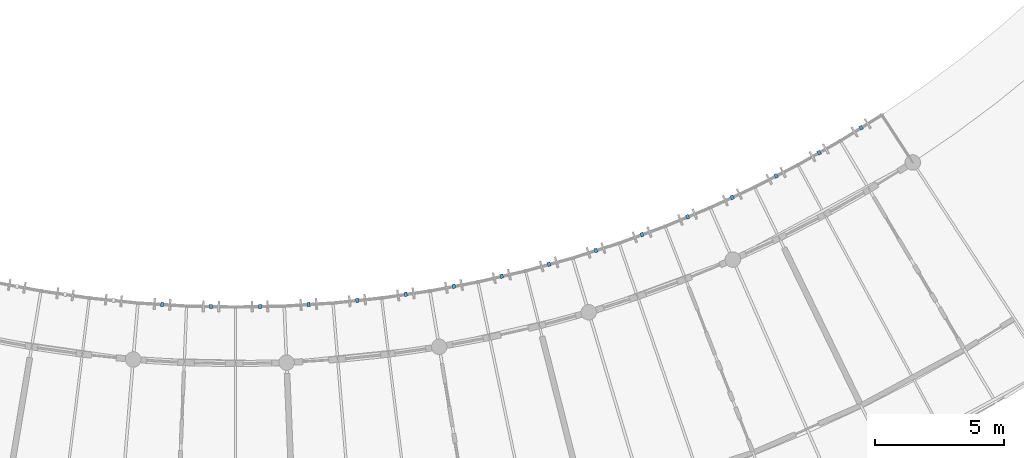
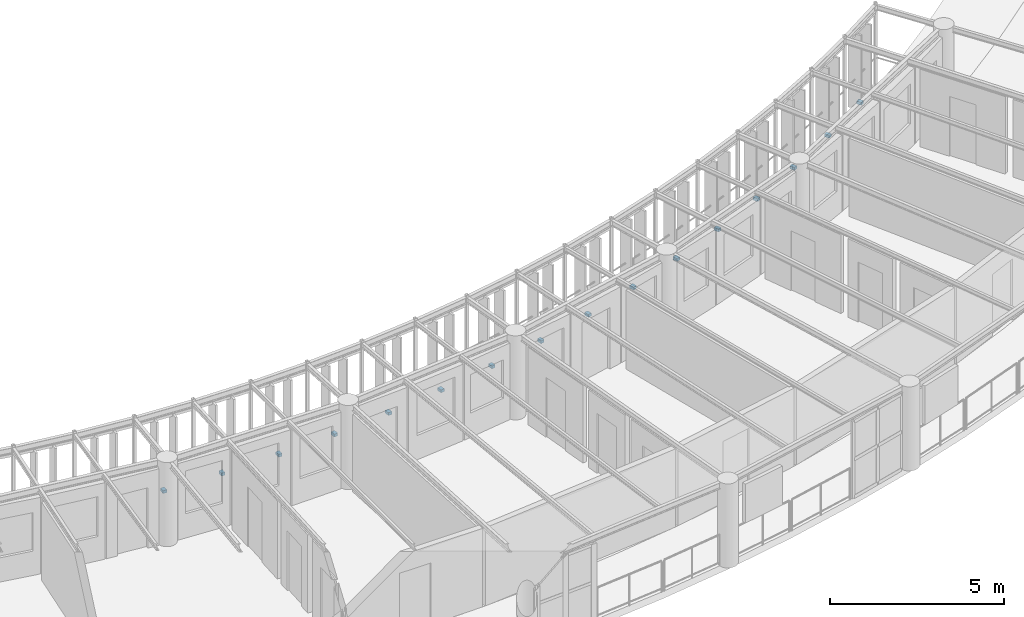
# One storey, part 84 of 100: 16 discrete accessories.
"""IFC4 building model written with IfcOpenShell, lengths in metres."""

import ifcopenshell
import ifcopenshell.guid

model = None  # the IFC model being written
_history = None  # IfcOwnerHistory: only IFC2X3 demands one
_inside = {}  # id of a spatial element -> (the spatial element, [elements in it])
_under = {}  # id of a project, library or spatial element -> (it, [spatial elements below it])
_declared = {}  # id of a project -> (the project, [libraries it declares])
_typed = {}  # id of a type object -> (the type object, [elements of that type])
_made_of = {}  # id of a material, layer set ... -> (it, [elements and type objects made of it])


def new_model(schema):
    """Start an empty IFC model of exactly this schema.

    Asked for "IFC4X3", IfcOpenShell would pick the latest addendum, in which some entities
    have other attributes; the version numbers below select the first issue.
    IFC2X3 requires an IfcOwnerHistory on every rooted entity: one is made here for all.
    """
    global model, _history
    if schema == "IFC4X3":
        model = ifcopenshell.file(schema_version=(4, 3, 0, 0))
    else:
        model = ifcopenshell.file(schema=schema)
    _inside.clear()
    _under.clear()
    _declared.clear()
    _typed.clear()
    _made_of.clear()
    _history = None
    if model.schema == "IFC2X3":
        org = make("IfcOrganization", Name="unknown")
        user = make(
            "IfcPersonAndOrganization",
            ThePerson=make("IfcPerson", FamilyName="unknown"),
            TheOrganization=org,
        )
        app = make(
            "IfcApplication",
            ApplicationDeveloper=org,
            Version="unknown",
            ApplicationFullName="unknown",
            ApplicationIdentifier="unknown",
        )
        _history = make(
            "IfcOwnerHistory",
            OwningUser=user,
            OwningApplication=app,
            ChangeAction="ADDED",
            CreationDate=0,
        )
    return model


def make(cls, **values):
    """One entity of the class cls with the attributes given. An attribute that is None is left unset."""
    return model.create_entity(
        cls, **{name: value for name, value in values.items() if value is not None}
    )


def rooted(cls, **values):
    """An entity with a GlobalId (a new one), such as an element, a storey or a relation."""
    return make(cls, GlobalId=ifcopenshell.guid.new(), OwnerHistory=_history, **values)


def si_unit(unit_type, name, prefix=None):
    """IfcSIUnit, for example si_unit("LENGTHUNIT", "METRE", prefix="MILLI")."""
    return make("IfcSIUnit", UnitType=unit_type, Prefix=prefix, Name=name)


def assignment(units):
    """IfcUnitAssignment: the units of a project."""
    return None if units is None else make("IfcUnitAssignment", Units=units)


def point(xyz):
    """IfcCartesianPoint."""
    return None if xyz is None else make("IfcCartesianPoint", Coordinates=xyz)


def direction(xyz):
    """IfcDirection."""
    return None if xyz is None else make("IfcDirection", DirectionRatios=xyz)


def frame(location, z_axis=None, x_axis=None):
    """IfcAxis2Placement3D, a coordinate frame: its origin and axes. An axis left out is left unset."""
    return make(
        "IfcAxis2Placement3D",
        Location=point(location),
        Axis=direction(z_axis),
        RefDirection=direction(x_axis),
    )


def frame_2d(location, x_axis=None):
    """IfcAxis2Placement2D, a coordinate frame in the plane: its origin and x axis."""
    return make(
        "IfcAxis2Placement2D", Location=point(location), RefDirection=direction(x_axis)
    )


def origin():
    """The frame at (0, 0, 0) with its axes left unset."""
    return frame((0.0, 0.0, 0.0))


def origin_2d():
    """The frame at (0, 0) in the plane with its x axis left unset."""
    return frame_2d((0.0, 0.0))


def place(relative_to, where):
    """IfcLocalPlacement: puts the frame where relative to a parent placement (None: the world)."""
    return make(
        "IfcLocalPlacement", PlacementRelTo=relative_to, RelativePlacement=where
    )


def context(
    kind, dimensions, precision=None, world=None, true_north=None, identifier=None
):
    """IfcGeometricRepresentationContext, for example the 3D "Model" context."""
    return make(
        "IfcGeometricRepresentationContext",
        ContextIdentifier=identifier,
        ContextType=kind,
        CoordinateSpaceDimension=dimensions,
        Precision=precision,
        WorldCoordinateSystem=world,
        TrueNorth=true_north,
    )


def subcontext(parent, identifier, kind, view, scale=None):
    """IfcGeometricRepresentationSubContext, for example "Body" below "Model"."""
    return make(
        "IfcGeometricRepresentationSubContext",
        ContextIdentifier=identifier,
        ContextType=kind,
        ParentContext=parent,
        TargetScale=scale,
        TargetView=view,
    )


def project(units=None, contexts=None):
    """IfcProject with its units and contexts."""
    return rooted(
        "IfcProject",
        Name="project",
        RepresentationContexts=contexts,
        UnitsInContext=assignment(units),
    )


def spatial(cls, under=None, at=None, **own):
    """A site, building, storey or space (cls), placed at a placement, below another one or the project."""
    s = rooted(cls, ObjectPlacement=at, **own)
    if under is not None:
        _under.setdefault(under.id(), (under, []))[1].append(s)
    return s


def profile(cls, at=None, kind="AREA", **sizes):
    """A parametric profile (cls). Its sizes go by their IFC names, for example OverallWidth=200.0."""
    return make(cls, ProfileType=kind, Position=at, **sizes)


def rectangle(**sizes):
    """IfcRectangleProfileDef."""
    return profile("IfcRectangleProfileDef", **sizes)


def extrude(swept, where, along, depth):
    """IfcExtrudedAreaSolid: the profile swept, set in the frame where, extruded along a direction by depth."""
    return make(
        "IfcExtrudedAreaSolid",
        SweptArea=swept,
        Position=where,
        ExtrudedDirection=direction(along),
        Depth=depth,
    )


def shape(context_of_items, identifier, shape_type, items):
    """IfcShapeRepresentation: the items that make up one representation, for example the "Body"."""
    return make(
        "IfcShapeRepresentation",
        ContextOfItems=context_of_items,
        RepresentationIdentifier=identifier,
        RepresentationType=shape_type,
        Items=items,
    )


def material(Name=None, Category=None):
    """IfcMaterial."""
    return make("IfcMaterial", Name=Name, Category=Category)


def made_of(thing, what):
    """Note that an element or type object is made of a material, layer set ...; save() writes the relation."""
    if what is not None:
        _made_of.setdefault(what.id(), (what, []))[1].append(thing)
    return thing


def type_object(cls, material=None, **own):
    """A type object (cls), such as IfcWallType, which elements share."""
    return made_of(rooted(cls, **own), material)


def element(
    cls,
    number,
    at=None,
    inside=None,
    cuts=None,
    type_object=None,
    material=None,
    context=None,
    identifier="Body",
    shape_type=None,
    held_by="IfcProductDefinitionShape",
    body=None,
    shapes=None,
    **own,
):
    """One element of the class cls, such as IfcWall. Its Tag is "e" and its number.

    at: its placement. inside: the storey or other place that contains it. cuts: it is an
    opening in that element (IfcRelVoidsElement). A single representation is given by context,
    identifier, shape_type and body (its items); several are given by shapes. held_by: the class
    of the entity that holds the representations. save() writes the other relations.
    """
    e = rooted(cls, Tag="e%d" % number, ObjectPlacement=at, **own)
    if body is not None:
        shapes = [shape(context, identifier, shape_type, body)]
    if shapes is not None:
        e.Representation = make(held_by, Representations=shapes)
    if inside is not None:
        _inside.setdefault(inside.id(), (inside, []))[1].append(e)
    if cuts is not None:
        rooted(
            "IfcRelVoidsElement", RelatingBuildingElement=cuts, RelatedOpeningElement=e
        )
    if type_object is not None:
        _typed.setdefault(type_object.id(), (type_object, []))[1].append(e)
    return made_of(e, material)


def aggregate(whole, parts):
    """IfcRelAggregates: a whole, such as a stair, and the parts it consists of."""
    return rooted("IfcRelAggregates", RelatingObject=whole, RelatedObjects=parts)


def save(model, path):
    """Write the relations noted so far, then the file.

    IfcRelAggregates (storeys below a building ...), IfcRelContainedInSpatialStructure (elements
    in a storey), IfcRelDefinesByType, IfcRelAssociatesMaterial and IfcRelDeclares: one each for
    every whole, place, type object, material and project.
    """
    for whole, parts in _under.values():
        aggregate(whole, parts)
    for where, things in _inside.values():
        rooted(
            "IfcRelContainedInSpatialStructure",
            RelatedElements=things,
            RelatingStructure=where,
        )
    for kind, things in _typed.values():
        rooted("IfcRelDefinesByType", RelatedObjects=things, RelatingType=kind)
    for what, things in _made_of.values():
        rooted("IfcRelAssociatesMaterial", RelatedObjects=things, RelatingMaterial=what)
    for by, libraries in _declared.values():
        rooted("IfcRelDeclares", RelatingContext=by, RelatedDefinitions=libraries)
    model.write(path)


model = new_model("IFC4")

# Units and contexts
model_context = context("Model", 3, precision=1e-05, world=origin(), true_north=direction((0.0, 1.0)))
body_context = subcontext(model_context, "Body", "Model", "MODEL_VIEW")
ifc_project = project(units=[si_unit("LENGTHUNIT", "METRE"), si_unit("AREAUNIT", "SQUARE_METRE"), si_unit("VOLUMEUNIT", "CUBIC_METRE"), si_unit("PLANEANGLEUNIT", "RADIAN"), si_unit("MASSUNIT", "GRAM", prefix="KILO"), si_unit("POWERUNIT", "WATT"), si_unit("THERMODYNAMICTEMPERATUREUNIT", "KELVIN")], contexts=[model_context])

# Site, building, storey
site_placement = place(None, origin())
site = spatial("IfcSite", under=ifc_project, at=site_placement, CompositionType="ELEMENT")
building_placement = place(site_placement, origin())
building = spatial("IfcBuilding", under=site, at=building_placement, Name="Ruvembo Vaulted Housing Court", CompositionType="ELEMENT")
storey_placement = place(building_placement, frame((0.0, 0.0, 14.10009765625)))
storey = spatial("IfcBuildingStorey", under=building, at=storey_placement, Name="L04", CompositionType="ELEMENT", Elevation=14.10009765625)

# Discrete accessories
ifc_material = material(Name="Stainless Steel Grade 316", Category="steel")
discrete_accessory_type = type_object("IfcDiscreteAccessoryType", Name="ACC-BRACKET-SS", PredefinedType="BRACKET", material=ifc_material)
for number, where, z_axis, x_axis, name in (
    (1, (66.168212890625, 16.29736328125, 0.02978515625), (0.0, 0.0, 1.0), (-0.061832453863, -0.998086543166, 0.0), "Stainless Louvre Rail Bracket #192"),
    (2, (68.055419921875, 16.219482421875, 0.02978515625), (0.0, 0.0, 1.0), (-0.020645778066, -0.999786853208, 0.0), "Stainless Louvre Rail Bracket #193"),
    (3, (69.944580078125, 16.219482421875, 0.02978515625), (0.0, 0.0, 1.0), (0.020645778066, -0.999786853208, 0.0), "Stainless Louvre Rail Bracket #194"),
    (4, (71.831787109375, 16.29736328125, 0.02978515625), (0.0, 0.0, 1.0), (0.061832453863, -0.998086543166, 0.0), "Stainless Louvre Rail Bracket #195"),
    (5, (73.714111328125, 16.452880859375, 0.02978515625), (0.0, 0.0, 1.0), (0.102948783072, -0.994686658232, 0.0), "Stainless Louvre Rail Bracket #196"),
    (6, (75.58837890625, 16.686279296875, 0.02978515625), (0.0, 0.0, 1.0), (0.143872610257, -0.989596216655, 0.0), "Stainless Louvre Rail Bracket #197"),
    (7, (77.45166015625, 16.996337890625, 0.02978515625), (0.0, 0.0, 1.0), (0.184568910756, -0.982819575091, 0.0), "Stainless Louvre Rail Bracket #198"),
    (8, (79.300537109375, 17.38330078125, 0.02978515625), (0.0, 0.0, 1.0), (0.224951054344, -0.974370064785, 0.0), "Stainless Louvre Rail Bracket #199"),
    (9, (81.1318359375, 17.84619140625, 0.02978515625), (0.0, 0.0, 1.0), (0.264983965035, -0.96425281865, 0.0), "Stainless Louvre Rail Bracket #200"),
    (10, (82.9423828125, 18.384033203125, 0.02978515625), (0.0, 0.0, 1.0), (0.304448708958, -0.952528731122, 0.0), "Stainless Louvre Rail Bracket #201"),
    (11, (84.7294921875, 18.99609375, 0.02978515625), (0.0, 0.0, 1.0), (0.343512177766, -0.939148222447, 0.0), "Stainless Louvre Rail Bracket #202"),
    (12, (86.489501953125, 19.681396484375, 0.02978515625), (0.0, 0.0, 1.0), (0.381957701122, -0.924179806398, 0.0), "Stainless Louvre Rail Bracket #203"),
    (13, (88.219970703125, 20.438720703125, 0.02978515625), (0.0, 0.0, 1.0), (0.419737248448, -0.90764565898, 0.0), "Stainless Louvre Rail Bracket #204"),
    (14, (89.917724609375, 21.266845703125, 0.02978515625), (0.0, 0.0, 1.0), (0.456849537333, -0.889543984432, 0.0), "Stainless Louvre Rail Bracket #205"),
    (15, (91.579833984375, 22.1640625, 0.02978515625), (0.0, 0.0, 1.0), (0.493106983922, -0.86996867898, 0.0), "Stainless Louvre Rail Bracket #206"),
    (16, (93.20361328125, 23.129150390625, 0.02978515625), (0.0, 0.0, 1.0), (0.528556868381, -0.848897895443, 0.0), "Stainless Louvre Rail Bracket #207"),
):
    element("IfcDiscreteAccessory", number, at=place(storey_placement, frame(where, z_axis=z_axis, x_axis=x_axis)), inside=storey, type_object=discrete_accessory_type, Name=name, PredefinedType="BRACKET", context=body_context, shape_type="SweptSolid", body=[
        extrude(rectangle(XDim=0.159912109375, YDim=0.1201171875, at=origin_2d()), origin(), (0.0, 0.0, 1.0), 0.10009765625),
    ])

save(model, "model.ifc")
